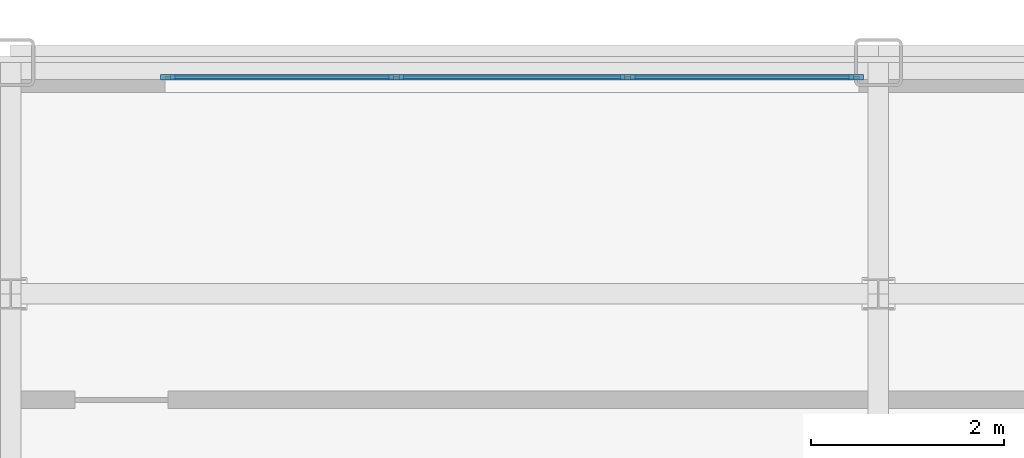
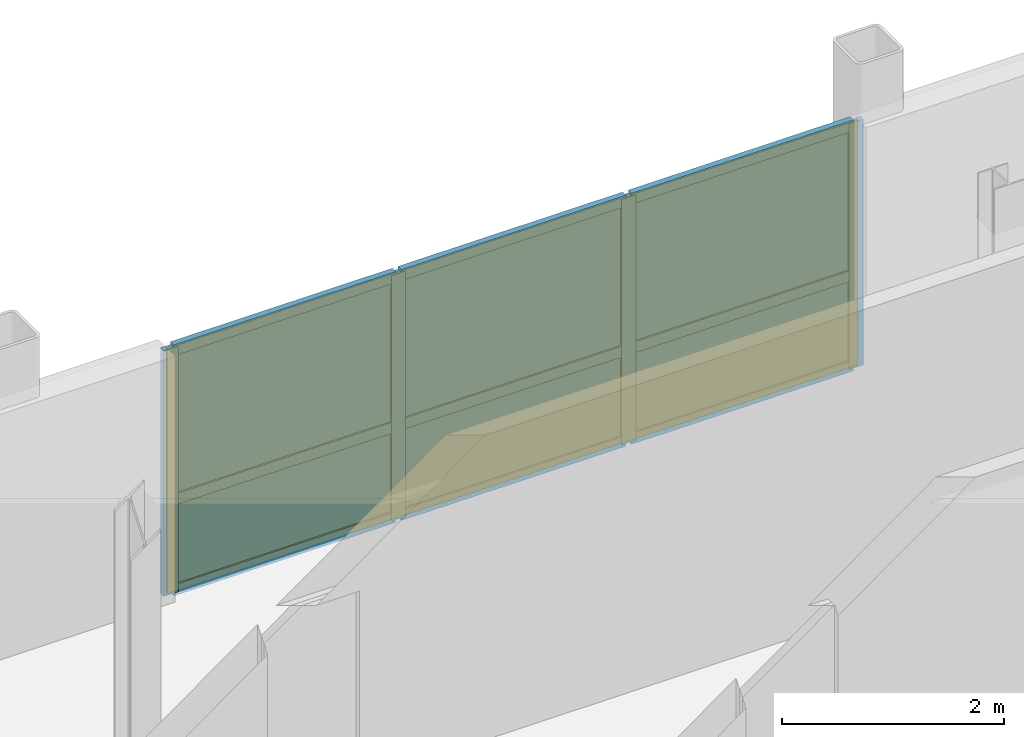
# One storey, part 11 of 15: 13 members, 6 plates, 1 curtain wall.
"""IFC4 building model written with IfcOpenShell, lengths in metres."""

from ifc_helpers import new_model, si_unit, direction, frame, frame_2d, origin, origin_2d, place, context, subcontext, project, spatial, rectangle, extrude, source, transform, mapped, material, layer, layer_set, material_profile, profile_set, type_object, type_shapes, element, aggregate, save


model = new_model("IFC4")

# Units and contexts
model_context = context("Model", 3, precision=1e-05, world=origin(), true_north=direction((0.0, 1.0)))
body_context = subcontext(model_context, "Body", "Model", "MODEL_VIEW")
ifc_project = project(units=[si_unit("LENGTHUNIT", "METRE"), si_unit("AREAUNIT", "SQUARE_METRE"), si_unit("VOLUMEUNIT", "CUBIC_METRE"), si_unit("PLANEANGLEUNIT", "RADIAN"), si_unit("MASSUNIT", "GRAM", prefix="KILO")], contexts=[model_context])

# Member
ifc_material_1 = material(Name="Anodised aluminium 6063-T6", Category="aluminium")
ifc_material_profile_1 = material_profile(ifc_material_1, rectangle(XDim=0.06005859375, YDim=0.14990234375, at=origin_2d()), Name="ALU-MULL-60x150")
ifc_profile_set_1 = profile_set([ifc_material_profile_1], Name="Anodised aluminium 6063-T6")
member_type_1 = type_object("IfcMemberType", Name="CWM-4", PredefinedType="MULLION", material=ifc_profile_set_1)
site_placement = place(None, origin())
building_placement = place(site_placement, origin())
storey_placement = place(building_placement, frame((0.0, 0.0, 223.75)))
member_1_placement = place(storey_placement, frame((-7.3701171875, 19.2451171875, 0.0), z_axis=(0.0, 0.0, 1.0), x_axis=(0.0, 1.0, 0.0)))
member_1 = element("IfcMember", 1, at=member_1_placement, type_object=member_type_1, Name="CWS-4 mullion 1", PredefinedType="MULLION", context=body_context, shape_type="SweptSolid", body=[
    extrude(rectangle(XDim=0.06005859375, YDim=0.14990234375, at=origin_2d()), origin(), (0.0, 0.0, 1.0), 2.705078125),
])

member_2_placement = place(storey_placement, frame((-5.0, 19.2451171875, 0.0), z_axis=(0.0, 0.0, 1.0), x_axis=(0.0, 1.0, 0.0)))
member_2 = element("IfcMember", 2, at=member_2_placement, type_object=member_type_1, Name="CWS-4 mullion 2", PredefinedType="MULLION", context=body_context, shape_type="SweptSolid", body=[
    extrude(rectangle(XDim=0.06005859375, YDim=0.14990234375, at=origin_2d()), origin(), (0.0, 0.0, 1.0), 2.705078125),
])

member_3_placement = place(storey_placement, frame((-2.60009765625, 19.2451171875, 0.0), z_axis=(0.0, 0.0, 1.0), x_axis=(0.0, 1.0, 0.0)))
member_3 = element("IfcMember", 3, at=member_3_placement, type_object=member_type_1, Name="CWS-4 mullion 3", PredefinedType="MULLION", context=body_context, shape_type="SweptSolid", body=[
    extrude(rectangle(XDim=0.06005859375, YDim=0.14990234375, at=origin_2d()), origin(), (0.0, 0.0, 1.0), 2.705078125),
])

member_4_placement = place(storey_placement, frame((-0.22998046875, 19.2451171875, 0.0), z_axis=(0.0, 0.0, 1.0), x_axis=(0.0, 1.0, 0.0)))
member_4 = element("IfcMember", 4, at=member_4_placement, type_object=member_type_1, Name="CWS-4 mullion 4", PredefinedType="MULLION", context=body_context, shape_type="SweptSolid", body=[
    extrude(rectangle(XDim=0.06005859375, YDim=0.14990234375, at=origin_2d()), origin(), (0.0, 0.0, 1.0), 2.705078125),
])

ifc_material_profile_2 = material_profile(ifc_material_1, rectangle(XDim=0.06005859375, YDim=0.1201171875, at=origin_2d()), Name="ALU-TRAN-60x120")
ifc_profile_set_2 = profile_set([ifc_material_profile_2], Name="Anodised aluminium 6063-T6")
member_type_2 = type_object("IfcMemberType", Name="CWT-4", PredefinedType="USERDEFINED", material=ifc_profile_set_2)
member_5_placement = place(storey_placement, frame((-7.340087890625, 19.2451171875, 0.030029296875), z_axis=(1.0, 0.0, 0.0), x_axis=(0.0, 1.0, 0.0)))
member_5 = element("IfcMember", 5, at=member_5_placement, type_object=member_type_2, Name="CWS-4 transom 1.1", ObjectType="TRANSOM", PredefinedType="USERDEFINED", context=body_context, shape_type="SweptSolid", body=[
    extrude(rectangle(XDim=0.06005859375, YDim=0.1201171875, at=origin_2d()), origin(), (0.0, 0.0, 1.0), 2.31005859375),
])

member_6_placement = place(storey_placement, frame((-7.340087890625, 19.2451171875, 1.02783203125), z_axis=(1.0, 0.0, 0.0), x_axis=(0.0, 1.0, 0.0)))
member_6 = element("IfcMember", 6, at=member_6_placement, type_object=member_type_2, Name="CWS-4 transom 1.2", ObjectType="TRANSOM", PredefinedType="USERDEFINED", context=body_context, shape_type="SweptSolid", body=[
    extrude(rectangle(XDim=0.06005859375, YDim=0.1201171875, at=origin_2d()), origin(), (0.0, 0.0, 1.0), 2.31005859375),
])

member_7_placement = place(storey_placement, frame((-7.340087890625, 19.2451171875, 2.675048828125), z_axis=(1.0, 0.0, 0.0), x_axis=(0.0, 1.0, 0.0)))
member_7 = element("IfcMember", 7, at=member_7_placement, type_object=member_type_2, Name="CWS-4 transom 1.3", ObjectType="TRANSOM", PredefinedType="USERDEFINED", context=body_context, shape_type="SweptSolid", body=[
    extrude(rectangle(XDim=0.06005859375, YDim=0.1201171875, at=origin_2d()), origin(), (0.0, 0.0, 1.0), 2.31005859375),
])

member_8_placement = place(storey_placement, frame((-4.969970703125, 19.2451171875, 0.030029296875), z_axis=(1.0, 0.0, 0.0), x_axis=(0.0, 1.0, 0.0)))
member_8 = element("IfcMember", 8, at=member_8_placement, type_object=member_type_2, Name="CWS-4 transom 2.1", ObjectType="TRANSOM", PredefinedType="USERDEFINED", context=body_context, shape_type="SweptSolid", body=[
    extrude(rectangle(XDim=0.06005859375, YDim=0.1201171875, at=origin_2d()), origin(), (0.0, 0.0, 1.0), 2.340087890625),
])

member_9_placement = place(storey_placement, frame((-4.969970703125, 19.2451171875, 1.02783203125), z_axis=(1.0, 0.0, 0.0), x_axis=(0.0, 1.0, 0.0)))
member_9 = element("IfcMember", 9, at=member_9_placement, type_object=member_type_2, Name="CWS-4 transom 2.2", ObjectType="TRANSOM", PredefinedType="USERDEFINED", context=body_context, shape_type="SweptSolid", body=[
    extrude(rectangle(XDim=0.06005859375, YDim=0.1201171875, at=origin_2d()), origin(), (0.0, 0.0, 1.0), 2.340087890625),
])

member_10_placement = place(storey_placement, frame((-4.969970703125, 19.2451171875, 2.675048828125), z_axis=(1.0, 0.0, 0.0), x_axis=(0.0, 1.0, 0.0)))
member_10 = element("IfcMember", 10, at=member_10_placement, type_object=member_type_2, Name="CWS-4 transom 2.3", ObjectType="TRANSOM", PredefinedType="USERDEFINED", context=body_context, shape_type="SweptSolid", body=[
    extrude(rectangle(XDim=0.06005859375, YDim=0.1201171875, at=origin_2d()), origin(), (0.0, 0.0, 1.0), 2.340087890625),
])

member_11_placement = place(storey_placement, frame((-2.570068359375, 19.2451171875, 0.030029296875), z_axis=(1.0, 0.0, 0.0), x_axis=(0.0, 1.0, 0.0)))
member_11 = element("IfcMember", 11, at=member_11_placement, type_object=member_type_2, Name="CWS-4 transom 3.1", ObjectType="TRANSOM", PredefinedType="USERDEFINED", context=body_context, shape_type="SweptSolid", body=[
    extrude(rectangle(XDim=0.06005859375, YDim=0.1201171875, at=origin_2d()), origin(), (0.0, 0.0, 1.0), 2.31005859375),
])

member_12_placement = place(storey_placement, frame((-2.570068359375, 19.2451171875, 1.02783203125), z_axis=(1.0, 0.0, 0.0), x_axis=(0.0, 1.0, 0.0)))
member_12 = element("IfcMember", 12, at=member_12_placement, type_object=member_type_2, Name="CWS-4 transom 3.2", ObjectType="TRANSOM", PredefinedType="USERDEFINED", context=body_context, shape_type="SweptSolid", body=[
    extrude(rectangle(XDim=0.06005859375, YDim=0.1201171875, at=origin_2d()), origin(), (0.0, 0.0, 1.0), 2.31005859375),
])

member_13_placement = place(storey_placement, frame((-2.570068359375, 19.2451171875, 2.675048828125), z_axis=(1.0, 0.0, 0.0), x_axis=(0.0, 1.0, 0.0)))
member_13 = element("IfcMember", 13, at=member_13_placement, type_object=member_type_2, Name="CWS-4 transom 3.3", ObjectType="TRANSOM", PredefinedType="USERDEFINED", context=body_context, shape_type="SweptSolid", body=[
    extrude(rectangle(XDim=0.06005859375, YDim=0.1201171875, at=origin_2d()), origin(), (0.0, 0.0, 1.0), 2.31005859375),
])

# Plate
ifc_material_2 = material(Name="Insulated solar-control glass", Category="glass")
ifc_layer_1 = layer(ifc_material_2, 0.02587890625, Name="CWP-4")
ifc_layer_set_1 = layer_set([ifc_layer_1], Name="Insulated solar-control glass")
plate_type = type_object("IfcPlateType", Name="CWP-4", PredefinedType="CURTAIN_PANEL", material=ifc_layer_set_1)
shared_shape_1 = source(origin(), body_context, "Body", "SweptSolid", [
    extrude(rectangle(XDim=2.31005859375, YDim=0.02587890625, at=origin_2d()), origin(), (0.0, 0.0, 1.0), 0.93798828125),
])
plate_1_placement = place(storey_placement, frame((-6.18505859375, 19.2451171875, 0.06005859375), z_axis=(0.0, 0.0, 1.0), x_axis=(1.0, 0.0, 0.0)))
plate_1 = element("IfcPlate", 14, at=plate_1_placement, type_object=plate_type, Name="CWS-4 panel 1.1", PredefinedType="CURTAIN_PANEL", context=body_context, shape_type="MappedRepresentation", body=[
    mapped(shared_shape_1, transform((0.0, 0.0, 0.0), scale=1.0)),
])

plate_2_placement = place(storey_placement, frame((-1.4150390625, 19.2451171875, 0.06005859375), z_axis=(0.0, 0.0, 1.0), x_axis=(1.0, 0.0, 0.0)))
plate_2 = element("IfcPlate", 15, at=plate_2_placement, type_object=plate_type, Name="CWS-4 panel 3.1", PredefinedType="CURTAIN_PANEL", context=body_context, shape_type="MappedRepresentation", body=[
    mapped(shared_shape_1, transform((0.0, 0.0, 0.0), scale=1.0)),
])

shared_shape_2 = source(origin(), body_context, "Body", "SweptSolid", [
    extrude(rectangle(XDim=2.31005859375, YDim=0.02587890625, at=origin_2d()), origin(), (0.0, 0.0, 1.0), 1.587158203125),
])
plate_3_placement = place(storey_placement, frame((-6.18505859375, 19.2451171875, 1.05810546875), z_axis=(0.0, 0.0, 1.0), x_axis=(1.0, 0.0, 0.0)))
plate_3 = element("IfcPlate", 16, at=plate_3_placement, type_object=plate_type, Name="CWS-4 panel 1.2", PredefinedType="CURTAIN_PANEL", context=body_context, shape_type="MappedRepresentation", body=[
    mapped(shared_shape_2, transform((0.0, 0.0, 0.0), scale=1.0)),
])

plate_4_placement = place(storey_placement, frame((-1.4150390625, 19.2451171875, 1.05810546875), z_axis=(0.0, 0.0, 1.0), x_axis=(1.0, 0.0, 0.0)))
plate_4 = element("IfcPlate", 17, at=plate_4_placement, type_object=plate_type, Name="CWS-4 panel 3.2", PredefinedType="CURTAIN_PANEL", context=body_context, shape_type="MappedRepresentation", body=[
    mapped(shared_shape_2, transform((0.0, 0.0, 0.0), scale=1.0)),
])

shared_shape_3 = source(origin(), body_context, "Body", "SweptSolid", [
    extrude(rectangle(XDim=2.340087890625, YDim=0.02587890625, at=origin_2d()), origin(), (0.0, 0.0, 1.0), 0.93798828125),
])
plate_5_placement = place(storey_placement, frame((-3.800048828125, 19.2451171875, 0.06005859375), z_axis=(0.0, 0.0, 1.0), x_axis=(1.0, 0.0, 0.0)))
plate_5 = element("IfcPlate", 18, at=plate_5_placement, type_object=plate_type, Name="CWS-4 panel 2.1", PredefinedType="CURTAIN_PANEL", context=body_context, shape_type="MappedRepresentation", body=[
    mapped(shared_shape_3, transform((0.0, 0.0, 0.0), scale=1.0)),
])

shared_shape_4 = source(origin(), body_context, "Body", "SweptSolid", [
    extrude(rectangle(XDim=2.340087890625, YDim=0.02587890625, at=origin_2d()), origin(), (0.0, 0.0, 1.0), 1.587158203125),
])
type_shapes(plate_type, [shared_shape_1, shared_shape_2, shared_shape_3, shared_shape_4])
plate_6_placement = place(storey_placement, frame((-3.800048828125, 19.2451171875, 1.05810546875), z_axis=(0.0, 0.0, 1.0), x_axis=(1.0, 0.0, 0.0)))
plate_6 = element("IfcPlate", 19, at=plate_6_placement, type_object=plate_type, Name="CWS-4 panel 2.2", PredefinedType="CURTAIN_PANEL", context=body_context, shape_type="MappedRepresentation", body=[
    mapped(shared_shape_4, transform((0.0, 0.0, 0.0), scale=1.0)),
])

# Site, building, storey
site = spatial("IfcSite", under=ifc_project, at=site_placement, CompositionType="ELEMENT")
building = spatial("IfcBuilding", under=site, at=building_placement, Name="Nuvemarco Arch Tower", CompositionType="ELEMENT")
storey = spatial("IfcBuildingStorey", under=building, at=storey_placement, Name="L59", CompositionType="ELEMENT", Elevation=223.75)

# Curtain wall
ifc_layer_2 = layer(ifc_material_2, 0.14990234375, Name="CW-SYS-4")
ifc_layer_set_2 = layer_set([ifc_layer_2], Name="Insulated solar-control glass")
curtain_wall_type = type_object("IfcCurtainWallType", Name="CW-SYS-4", PredefinedType="NOTDEFINED", material=ifc_layer_set_2)
curtain_wall_placement = place(storey_placement, frame((-7.39990234375, 19.2451171875, 0.0), z_axis=(0.0, 0.0, 1.0), x_axis=(1.0, 0.0, 0.0)))
curtain_wall = element("IfcCurtainWall", 20, at=curtain_wall_placement, inside=storey, type_object=curtain_wall_type, Name="L59 curtain wall CWS-4", PredefinedType="NOTDEFINED", context=body_context, shape_type="SweptSolid", body=[
    extrude(rectangle(XDim=7.199951171875, YDim=0.02001953125, at=frame_2d((3.60009765625, 0.0))), origin(), (0.0, 0.0, 1.0), 2.705078125),
])

aggregate(curtain_wall, [member_1, member_2, member_3, member_4, member_5, member_6, member_7, plate_1, plate_3, member_8, member_9, member_10, plate_5, plate_6, member_11, member_12, member_13, plate_2, plate_4])

save(model, "model.ifc")
